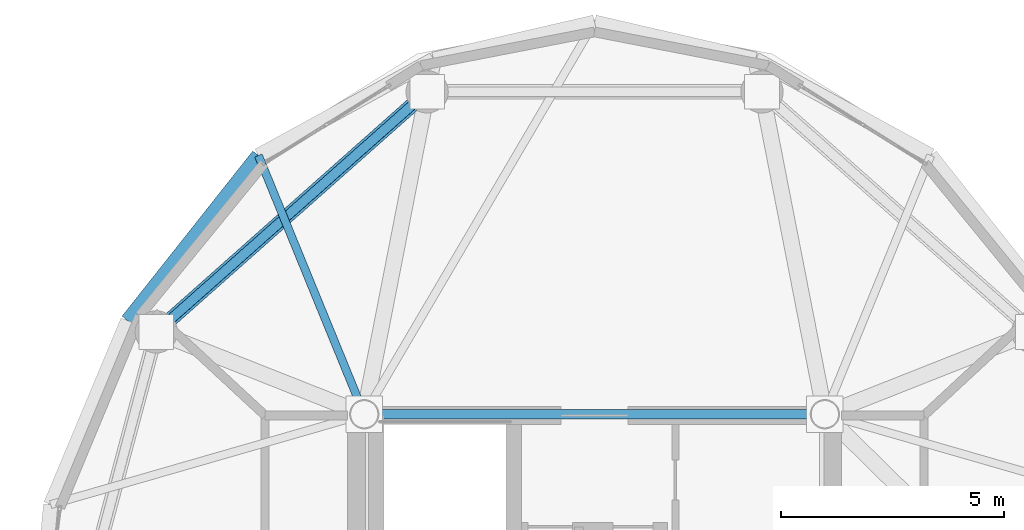
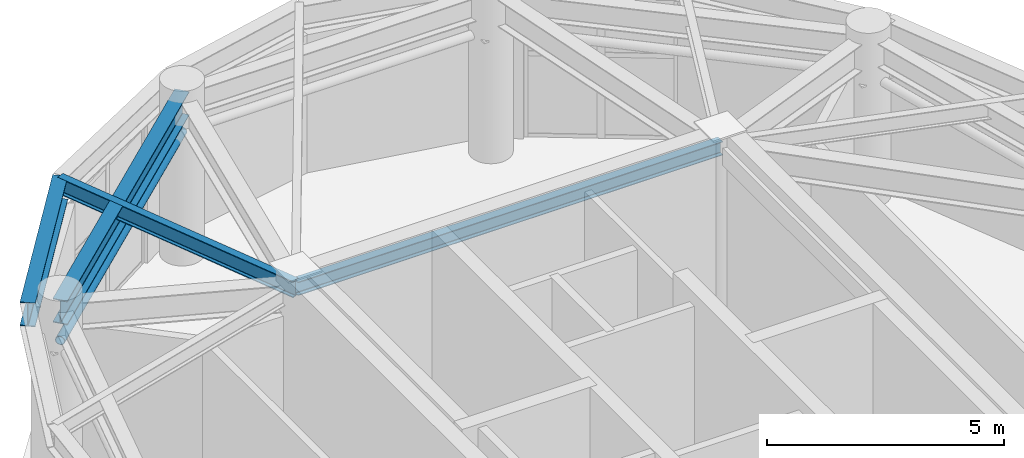
# One storey, part 8 of 26: 4 beams, 1 member.
"""IFC4 building model written with IfcOpenShell, lengths in metres."""

from ifc_helpers import new_model, si_unit, direction, frame, origin, origin_2d, place, context, subcontext, project, spatial, hollow_circle, i_section, extrude, material, material_profile, profile_set, type_object, element, save


model = new_model("IFC4")

# Units and contexts
model_context = context("Model", 3, precision=1e-05, world=origin(), true_north=direction((0.0, 1.0)))
body_context = subcontext(model_context, "Body", "Model", "MODEL_VIEW")
ifc_project = project(units=[si_unit("LENGTHUNIT", "METRE"), si_unit("AREAUNIT", "SQUARE_METRE"), si_unit("VOLUMEUNIT", "CUBIC_METRE"), si_unit("PLANEANGLEUNIT", "RADIAN"), si_unit("MASSUNIT", "GRAM", prefix="KILO")], contexts=[model_context])

# Site, building, storey
site_placement = place(None, origin())
site = spatial("IfcSite", under=ifc_project, at=site_placement, CompositionType="ELEMENT")
building_placement = place(site_placement, origin())
building = spatial("IfcBuilding", under=site, at=building_placement, Name="Cununo Teusaquillo Station Towers", CompositionType="ELEMENT")
storey_placement = place(building_placement, frame((0.0, 0.0, 240.330078125)))
storey = spatial("IfcBuildingStorey", under=building, at=storey_placement, Name="L76", CompositionType="ELEMENT", Elevation=240.330078125)

# Beams
ifc_material_1 = material(Name="Steel ASTM A572 Grade 50", Category="steel")
ifc_material_profile_1 = material_profile(ifc_material_1, i_section(OverallWidth=0.180908203125, OverallDepth=0.4169921875, WebThickness=0.010986328125, FlangeThickness=0.018310546875, FilletRadius=0.012939453125, at=origin_2d()), Name="W16X57")
ifc_profile_set_1 = profile_set([ifc_material_profile_1], Name="Steel ASTM A572 Grade 50")
beam_type_1 = type_object("IfcBeamType", Name="BM-JOIST-1", PredefinedType="JOIST", material=ifc_profile_set_1)
beam_1_placement = place(storey_placement, frame((11.324951171875, 31.3798828125, 3.991455078125), z_axis=(-0.378576847217, 0.925569862707, 0.0), x_axis=(-0.925569862707, -0.378576847217, 0.0)))
element("IfcBeam", 1, at=beam_1_placement, inside=storey, type_object=beam_type_1, Name="L76 Tower A Radial Spandrel Joist V07", PredefinedType="JOIST", context=body_context, shape_type="SweptSolid", body=[
    extrude(i_section(OverallWidth=0.180908203125, OverallDepth=0.4169921875, WebThickness=0.010986328125, FlangeThickness=0.018310546875, FilletRadius=0.012939453125, at=origin_2d()), origin(), (0.0, 0.0, 1.0), 6.28125),
])
ifc_material_2 = material(Name="Steel ASTM A572 Grade 50", Category="steel")
ifc_material_profile_2 = material_profile(ifc_material_2, i_section(OverallWidth=0.2041015625, OverallDepth=0.35009765625, WebThickness=0.008544921875, FlangeThickness=0.01513671875, FilletRadius=0.011962890625, at=origin_2d()), Name="W14X48")
ifc_profile_set_2 = profile_set([ifc_material_profile_2], Name="Steel ASTM A572 Grade 50")
beam_type_2 = type_object("IfcBeamType", Name="BM-LINTEL-1", PredefinedType="LINTEL", material=ifc_profile_set_2)
beam_2_placement = place(storey_placement, frame((11.324951171875, 31.3798828125, 4.02490234375), z_axis=(1.0, 0.0, 0.0), x_axis=(0.0, 1.0, 0.0)))
element("IfcBeam", 2, at=beam_2_placement, inside=storey, type_object=beam_type_2, Name="L76 Tower A Core Beam 4", PredefinedType="LINTEL", context=body_context, shape_type="SweptSolid", body=[
    extrude(i_section(OverallWidth=0.2041015625, OverallDepth=0.35009765625, WebThickness=0.008544921875, FlangeThickness=0.01513671875, FilletRadius=0.011962890625, at=origin_2d()), origin(), (0.0, 0.0, 1.0), 10.35009765625),
])
ifc_material_3 = material(Name="Steel ASTM A572 Grade 50", Category="steel")
ifc_material_profile_3 = material_profile(ifc_material_3, i_section(OverallWidth=0.324951171875, OverallDepth=0.615966796875, WebThickness=0.013916015625, FlangeThickness=0.021484375, FilletRadius=0.01611328125, at=origin_2d()), Name="W24X117")
ifc_profile_set_3 = profile_set([ifc_material_profile_3], Name="Steel ASTM A572 Grade 50")
beam_type_3 = type_object("IfcBeamType", Name="BM-PLNT-G2", PredefinedType="BEAM", material=ifc_profile_set_3)
beam_3_placement = place(storey_placement, frame((12.738525390625, 38.623291015625, 3.891845703125), z_axis=(-0.74832120039, -0.66333655187, 0.0), x_axis=(0.66333655187, -0.74832120039, 0.0)))
element("IfcBeam", 3, at=beam_3_placement, inside=storey, type_object=beam_type_3, Name="L76 Tower A Structural Column Ring Girder 04", PredefinedType="BEAM", context=body_context, shape_type="SweptSolid", body=[
    extrude(i_section(OverallWidth=0.324951171875, OverallDepth=0.615966796875, WebThickness=0.013916015625, FlangeThickness=0.021484375, FilletRadius=0.01611328125, at=origin_2d()), origin(), (0.0, 0.0, 1.0), 8.1328125),
])
beam_4_placement = place(storey_placement, frame((8.947021484375, 37.193603515625, 3.891845703125), z_axis=(-0.620710872531, -0.784039547932, 0.0), x_axis=(0.784039547932, -0.620710872531, 0.0)))
element("IfcBeam", 4, at=beam_4_placement, inside=storey, type_object=beam_type_3, Name="L76 Tower A Spandrel Ring Beam 08", PredefinedType="BEAM", context=body_context, shape_type="SweptSolid", body=[
    extrude(i_section(OverallWidth=0.324951171875, OverallDepth=0.615966796875, WebThickness=0.013916015625, FlangeThickness=0.021484375, FilletRadius=0.01611328125, at=origin_2d()), origin(), (0.0, 0.0, 1.0), 4.732421875),
])

# Member
ifc_material_4 = material(Name="Steel EN 10025-2 S355J2", Category="steel")
ifc_material_profile_4 = material_profile(ifc_material_4, hollow_circle(Radius=0.109619140625, WallThickness=0.010009765625, at=origin_2d()), Name="CHS 219x10")
ifc_profile_set_4 = profile_set([ifc_material_profile_4], Name="Steel EN 10025-2 S355J2")
member_type = type_object("IfcMemberType", Name="MBR-DRUM-COL", PredefinedType="COLLAR", material=ifc_profile_set_4)
member_placement = place(storey_placement, frame((12.738525390625, 38.623291015625, 3.14990234375), z_axis=(-0.74832120039, -0.66333655187, 0.0), x_axis=(0.66333655187, -0.74832120039, 0.0)))
element("IfcMember", 5, at=member_placement, inside=storey, type_object=member_type, Name="L76 Tower A Crown Drum Collar 04", PredefinedType="COLLAR", context=body_context, shape_type="SweptSolid", body=[
    extrude(hollow_circle(Radius=0.109619140625, WallThickness=0.010009765625, at=origin_2d()), origin(), (0.0, 0.0, 1.0), 8.1328125),
])

save(model, "model.ifc")
